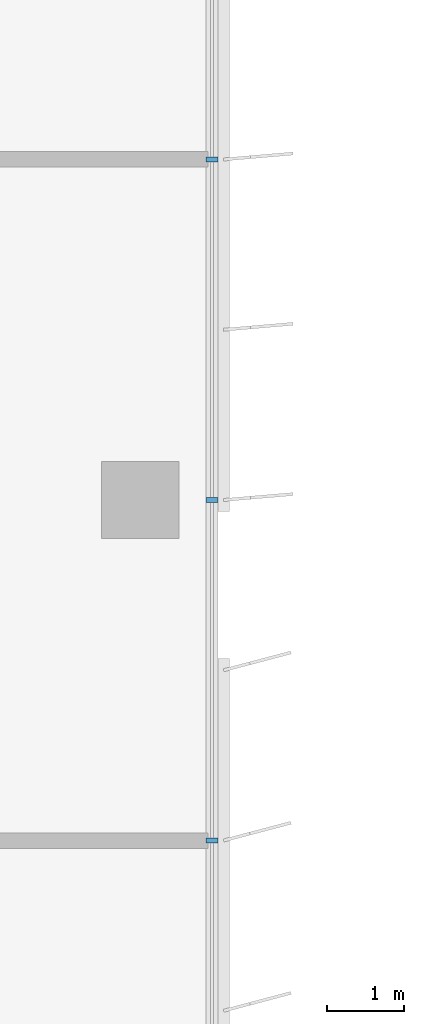
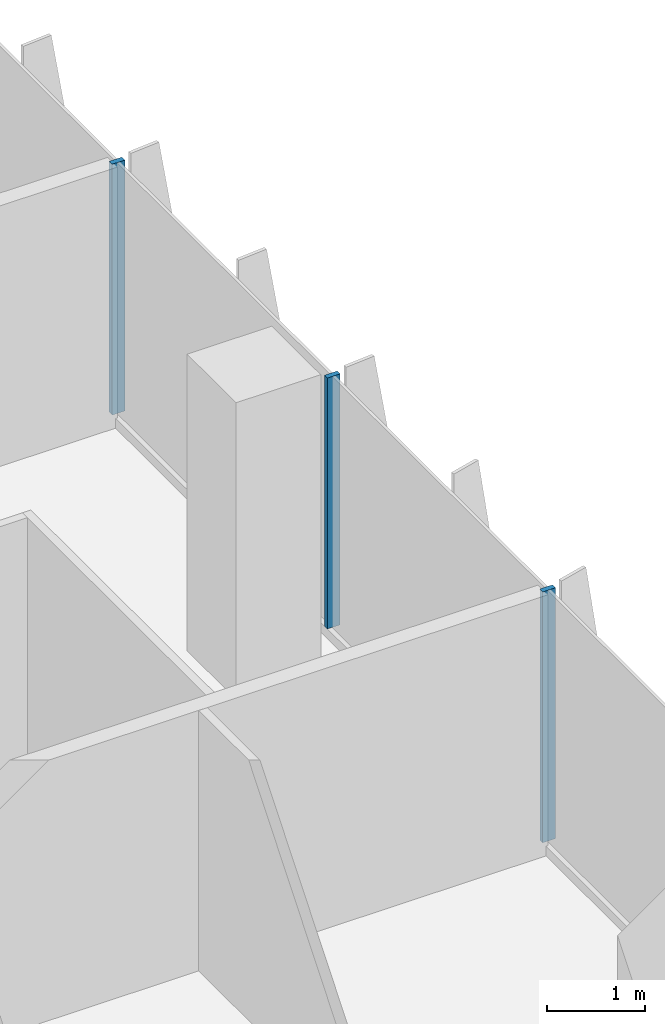
# One storey, part 5 of 20: 3 members, 1 element without a shape of its own.
"""IFC4 building model written with IfcOpenShell, lengths in metres."""

from ifc_helpers import new_model, si_unit, direction, frame, origin, origin_2d, place, context, subcontext, project, spatial, rectangle, extrude, source, transform, mapped, material, material_profile, profile_set, type_object, element, aggregate, save


model = new_model("IFC4")

# Units and contexts
model_context = context("Model", 3, precision=1e-05, world=origin(), true_north=direction((0.0, 1.0)))
body_context = subcontext(model_context, "Body", "Model", "MODEL_VIEW")
ifc_project = project(units=[si_unit("LENGTHUNIT", "METRE"), si_unit("AREAUNIT", "SQUARE_METRE"), si_unit("VOLUMEUNIT", "CUBIC_METRE"), si_unit("PLANEANGLEUNIT", "RADIAN"), si_unit("MASSUNIT", "GRAM", prefix="KILO")], contexts=[model_context])

# Site, building, storey
site_placement = place(None, origin())
site = spatial("IfcSite", under=ifc_project, at=site_placement, CompositionType="ELEMENT")
building_placement = place(site_placement, origin())
building = spatial("IfcBuilding", under=site, at=building_placement, Name="Kemantara Hotel Tower", CompositionType="ELEMENT")
storey_placement = place(building_placement, frame((0.0, 0.0, 190.10009765625)))
storey = spatial("IfcBuildingStorey", under=building, at=storey_placement, Name="L47", CompositionType="ELEMENT", Elevation=190.10009765625)

# Curtain wall, members
ifc_material_1 = material(Name="Low-E tinted double insulated glass 36 mm", Category="glass")
curtain_wall_type = type_object("IfcCurtainWallType", Name="TOWER CURTAIN WALL, FRONT FACES", PredefinedType="USERDEFINED", material=ifc_material_1)
curtain_wall_placement = place(storey_placement, origin())
curtain_wall = element("IfcCurtainWall", 1, at=curtain_wall_placement, inside=storey, type_object=curtain_wall_type, Name="CW4 L47 T3-R17-1", ObjectType="TOWER CURTAIN WALL, FRONT FACES", PredefinedType="USERDEFINED")
ifc_material_2 = material(Name="Aluminium 6063-T6 bronze anodised", Category="aluminium")
ifc_material_profile = material_profile(ifc_material_2, rectangle(XDim=0.14990234375, YDim=0.06005859375, at=origin_2d()), Name="TOWER CURTAIN WALL, FRONT FACES MULLION")
ifc_profile_set = profile_set([ifc_material_profile], Name="Aluminium 6063-T6 bronze anodised")
member_type = type_object("IfcMemberType", Name="TOWER CURTAIN WALL, FRONT FACES MULLION", PredefinedType="MULLION", material=ifc_profile_set)
shared_shape = source(origin(), body_context, "Body", "SweptSolid", [
    extrude(rectangle(XDim=0.14990234375, YDim=0.06005859375, at=origin_2d()), origin(), (0.0, 0.0, 1.0), 3.130126953125),
])
member_1_placement = place(storey_placement, frame((21.925048828125, 31.800048828125, 0.119873046875), z_axis=(0.0, 0.0, 1.0), x_axis=(-1.0, 0.0, 0.0)))
member_1 = element("IfcMember", 2, at=member_1_placement, type_object=member_type, Name="CW4 mullion T3-R17-1.3", PredefinedType="MULLION", context=body_context, shape_type="MappedRepresentation", body=[
    mapped(shared_shape, transform((0.0, 0.0, 0.0))),
])
member_2_placement = place(storey_placement, frame((21.925048828125, 36.199951171875, 0.119873046875), z_axis=(0.0, 0.0, 1.0), x_axis=(-1.0, 0.0, 0.0)))
member_2 = element("IfcMember", 3, at=member_2_placement, type_object=member_type, Name="CW4 mullion T3-R17-1.4", PredefinedType="MULLION", context=body_context, shape_type="MappedRepresentation", body=[
    mapped(shared_shape, transform((0.0, 0.0, 0.0))),
])
member_3_placement = place(storey_placement, frame((21.925048828125, 40.60009765625, 0.119873046875), z_axis=(0.0, 0.0, 1.0), x_axis=(-1.0, 0.0, 0.0)))
member_3 = element("IfcMember", 4, at=member_3_placement, type_object=member_type, Name="CW4 mullion T3-R17-1.5", PredefinedType="MULLION", context=body_context, shape_type="MappedRepresentation", body=[
    mapped(shared_shape, transform((0.0, 0.0, 0.0))),
])
aggregate(curtain_wall, [member_1, member_2, member_3])

save(model, "model.ifc")
